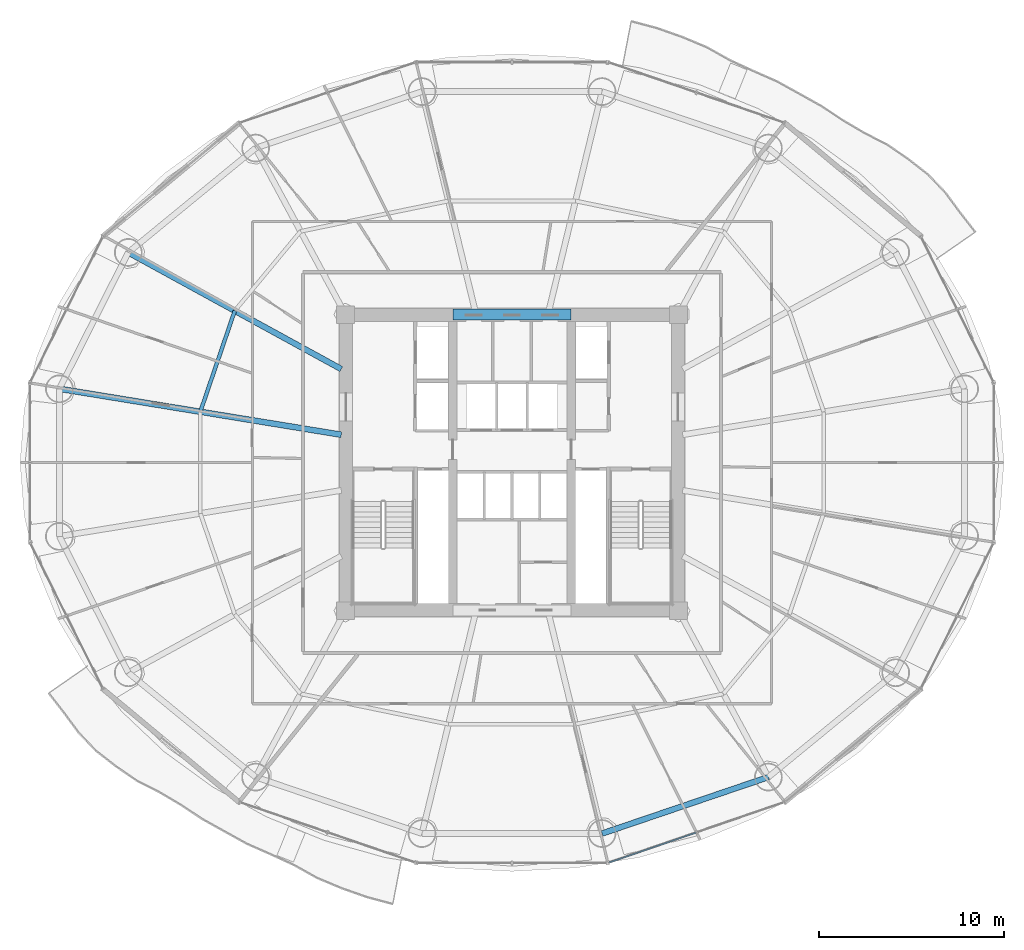
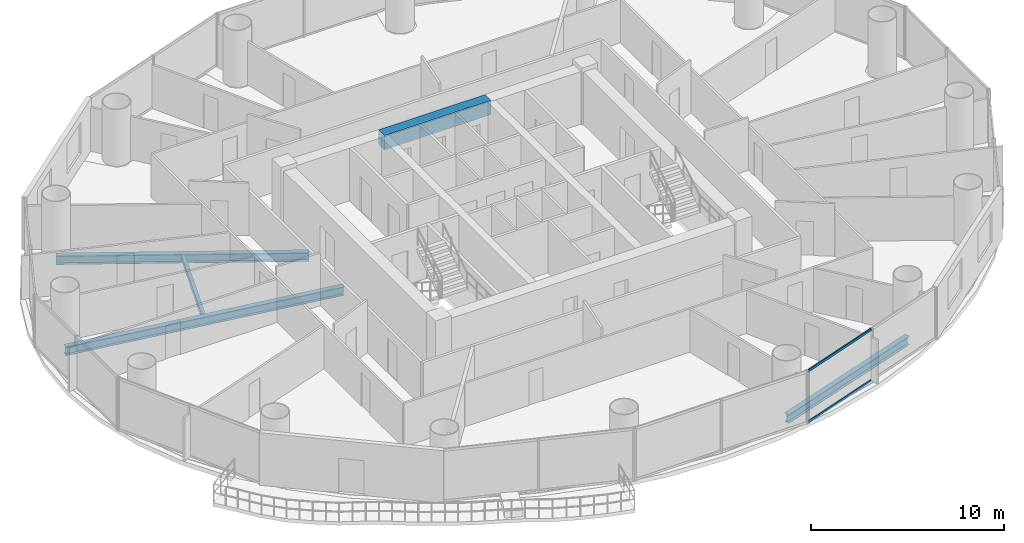
# One storey, part 10 of 29: 5 beams, 2 members, 1 element without a shape of its own.
"""IFC4 building model written with IfcOpenShell, lengths in metres."""

from ifc_helpers import new_model, si_unit, direction, frame, origin, origin_2d, place, context, subcontext, project, spatial, rectangle, hollow_rectangle, i_section, extrude, source, transform, mapped, material, material_profile, profile_set, type_object, element, aggregate, save


model = new_model("IFC4")

# Units and contexts
model_context = context("Model", 3, precision=1e-05, world=origin(), true_north=direction((-0.2419218956, 0.970295726276)))
body_context = subcontext(model_context, "Body", "Model", "MODEL_VIEW")
ifc_project = project(units=[si_unit("LENGTHUNIT", "METRE"), si_unit("AREAUNIT", "SQUARE_METRE"), si_unit("VOLUMEUNIT", "CUBIC_METRE"), si_unit("PLANEANGLEUNIT", "RADIAN"), si_unit("MASSUNIT", "GRAM", prefix="KILO")], contexts=[model_context])

# Site, building, storey
site_placement = place(None, origin())
site = spatial("IfcSite", under=ifc_project, at=site_placement, CompositionType="ELEMENT")
building_placement = place(site_placement, origin())
building = spatial("IfcBuilding", under=site, at=building_placement, Name="Cobrevalo Terracotta Tower", CompositionType="ELEMENT")
storey_placement = place(building_placement, frame((0.0, 0.0, 119.39990234375)))
storey = spatial("IfcBuildingStorey", under=building, at=storey_placement, Name="L31", CompositionType="ELEMENT", Elevation=119.39990234375)

# Beams
ifc_material_1 = material(Name="Concrete C60", Category="concrete")
ifc_material_profile_1 = material_profile(ifc_material_1, rectangle(XDim=0.60009765625, YDim=0.89990234375, at=origin_2d()), Name="RC CB 600x900")
ifc_profile_set_1 = profile_set([ifc_material_profile_1], Name="Concrete C60")
beam_type_1 = type_object("IfcBeamType", Name="Structural Beam RC CB 600x900 (Concrete C60)", PredefinedType="BEAM", material=ifc_profile_set_1)
beam_1_placement = place(storey_placement, frame((34.800048828125, 34.800048828125, 2.875), z_axis=(1.0, 0.0, 0.0), x_axis=(0.0, 1.0, 0.0)))
element("IfcBeam", 1, at=beam_1_placement, inside=storey, type_object=beam_type_1, Name="L31 core coupling beam 2", PredefinedType="BEAM", context=body_context, shape_type="SweptSolid", body=[
    extrude(rectangle(XDim=0.60009765625, YDim=0.89990234375, at=origin_2d()), origin(), (0.0, 0.0, 1.0), 6.39990234375),
])
ifc_material_2 = material(Name="Steel S355", Category="steel")
ifc_material_profile_2 = material_profile(ifc_material_2, i_section(OverallWidth=0.31201171875, OverallDepth=0.54296875, WebThickness=0.0126953125, FlangeThickness=0.020263671875, at=origin_2d()), Name="W 530x150")
ifc_profile_set_2 = profile_set([ifc_material_profile_2], Name="Steel S355")
beam_type_2 = type_object("IfcBeamType", Name="Structural Beam W 530x150 (Steel S355)", PredefinedType="BEAM", material=ifc_profile_set_2)
beam_2_placement = place(storey_placement, frame((17.2548828125, 38.161376953125, -0.54638671875), z_axis=(0.877080599376, -0.480343233738, 0.0), x_axis=(0.480343233738, 0.877080599376, 0.0)))
element("IfcBeam", 2, at=beam_2_placement, inside=storey, type_object=beam_type_2, Name="L31 radial floor girder 07", PredefinedType="BEAM", context=body_context, shape_type="SweptSolid", body=[
    extrude(i_section(OverallWidth=0.31201171875, OverallDepth=0.54296875, WebThickness=0.0126953125, FlangeThickness=0.020263671875, at=origin_2d()), origin(), (0.0, 0.0, 1.0), 13.12890625),
])
beam_3_placement = place(storey_placement, frame((13.529296875, 30.78955078125, -0.54638671875), z_axis=(0.986970567439, -0.160900898101, 0.0), x_axis=(0.160900898101, 0.986970567439, 0.0)))
element("IfcBeam", 3, at=beam_3_placement, inside=storey, type_object=beam_type_2, Name="L31 radial floor girder 08", PredefinedType="BEAM", context=body_context, shape_type="SweptSolid", body=[
    extrude(i_section(OverallWidth=0.31201171875, OverallDepth=0.54296875, WebThickness=0.0126953125, FlangeThickness=0.020263671875, at=origin_2d()), origin(), (0.0, 0.0, 1.0), 15.44189453125),
])
ifc_material_profile_3 = material_profile(ifc_material_2, i_section(OverallWidth=0.2041015625, OverallDepth=0.305908203125, WebThickness=0.008544921875, FlangeThickness=0.0146484375, at=origin_2d()), Name="W 310x67")
ifc_profile_set_3 = profile_set([ifc_material_profile_3], Name="Steel S355")
beam_type_3 = type_object("IfcBeamType", Name="Structural Joist W 310x67 (Steel S355)", PredefinedType="JOIST", material=ifc_profile_set_3)
beam_4_placement = place(storey_placement, frame((23.012451171875, 35.00830078125, -0.427978515625), z_axis=(-0.322833299398, -0.94645584197, 0.0), x_axis=(0.94645584197, -0.322833299398, 0.0)))
element("IfcBeam", 4, at=beam_4_placement, inside=storey, type_object=beam_type_3, Name="L31 circumferential secondary floor joist 07", PredefinedType="JOIST", context=body_context, shape_type="SweptSolid", body=[
    extrude(i_section(OverallWidth=0.2041015625, OverallDepth=0.305908203125, WebThickness=0.008544921875, FlangeThickness=0.0146484375, at=origin_2d()), origin(), (0.0, 0.0, 1.0), 5.77001953125),
])
ifc_material_profile_4 = material_profile(ifc_material_2, i_section(OverallWidth=0.31201171875, OverallDepth=0.54296875, WebThickness=0.0126953125, FlangeThickness=0.020263671875, at=origin_2d()), Name="W 530x150")
ifc_profile_set_4 = profile_set([ifc_material_profile_4], Name="Steel S355")
beam_type_4 = type_object("IfcBeamType", Name="Structural Spandrel W 530x150 (Steel S355)", PredefinedType="SPANDREL", material=ifc_profile_set_4)
beam_5_placement = place(storey_placement, frame((42.867431640625, 6.742919921875, -0.54638671875), z_axis=(0.94691835344, 0.321474154356, 0.0), x_axis=(-0.321474154356, 0.94691835344, 0.0)))
element("IfcBeam", 5, at=beam_5_placement, inside=storey, type_object=beam_type_4, Name="L31 perimeter ring spandrel 13", PredefinedType="SPANDREL", context=body_context, shape_type="SweptSolid", body=[
    extrude(i_section(OverallWidth=0.31201171875, OverallDepth=0.54296875, WebThickness=0.0126953125, FlangeThickness=0.020263671875, at=origin_2d()), origin(), (0.0, 0.0, 1.0), 9.498291015625),
])

# Curtain wall, members
ifc_material_3 = material(Name="Anodized aluminium", Category="aluminium")
curtain_wall_type = type_object("IfcCurtainWallType", Name="Lower-tower unitised acoustic low-E curtain wall CW-U1", PredefinedType="NOTDEFINED", material=ifc_material_3)
curtain_wall_placement = place(storey_placement, origin())
curtain_wall = element("IfcCurtainWall", 6, at=curtain_wall_placement, inside=storey, type_object=curtain_wall_type, Name="L31 curtain wall CW-L31-S13", PredefinedType="NOTDEFINED")
ifc_material_profile_5 = material_profile(ifc_material_3, hollow_rectangle(XDim=0.074951171875, YDim=0.14990234375, WallThickness=0.00439453125, at=origin_2d()), Name="CWT 75x150")
ifc_profile_set_5 = profile_set([ifc_material_profile_5], Name="Anodized aluminium")
member_type = type_object("IfcMemberType", Name="Tower unitised aluminium transom 75x150", PredefinedType="USERDEFINED", material=ifc_profile_set_5)
shared_shape = source(origin(), body_context, "Body", "SweptSolid", [
    extrude(hollow_rectangle(XDim=0.074951171875, YDim=0.14990234375, WallThickness=0.00439453125, at=origin_2d()), origin(), (0.0, 0.0, 1.0), 4.944580078125),
])
member_1_placement = place(storey_placement, frame((43.25927734375, 5.18017578125, 0.050048828125), z_axis=(0.945597859971, 0.32533780478, 0.0), x_axis=(-0.32533780478, 0.945597859971, 0.0)))
member_1 = element("IfcMember", 7, at=member_1_placement, type_object=member_type, Name="CW-L31-S13 transom B01-T1", ObjectType="TRANSOM", PredefinedType="USERDEFINED", context=body_context, shape_type="MappedRepresentation", body=[
    mapped(shared_shape, transform((0.0, 0.0, 0.0), scale=1.0)),
])
member_2_placement = place(storey_placement, frame((43.25927734375, 5.18017578125, 3.275146484375), z_axis=(0.945597859971, 0.32533780478, 0.0), x_axis=(-0.32533780478, 0.945597859971, 0.0)))
member_2 = element("IfcMember", 8, at=member_2_placement, type_object=member_type, Name="CW-L31-S13 transom B01-T2", ObjectType="TRANSOM", PredefinedType="USERDEFINED", context=body_context, shape_type="MappedRepresentation", body=[
    mapped(shared_shape, transform((0.0, 0.0, 0.0), scale=1.0)),
])
aggregate(curtain_wall, [member_1, member_2])

save(model, "model.ifc")
